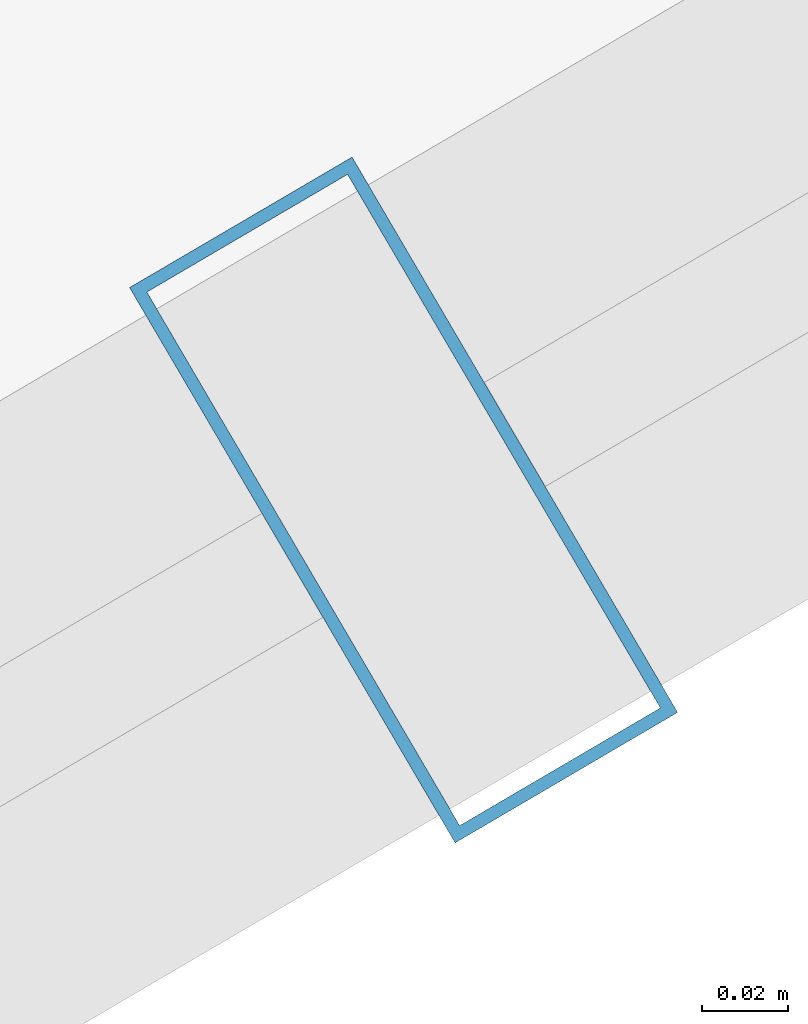
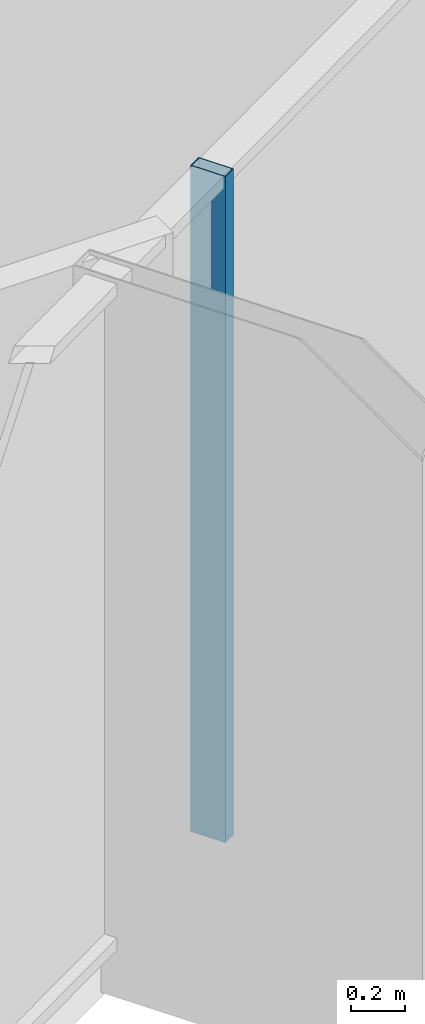
# One storey, part 9 of 31: 1 member, 1 element without a shape of its own.
"""IFC4 building model written with IfcOpenShell, lengths in metres."""

from ifc_helpers import new_model, si_unit, direction, frame, origin, origin_2d, place, context, subcontext, project, spatial, hollow_rectangle, extrude, source, transform, mapped, material, layer, layer_set, material_profile, profile_set, type_object, element, aggregate, save


model = new_model("IFC4")

# Units and contexts
model_context = context("Model", 3, precision=1e-05, world=origin(), true_north=direction((0.0, 1.0)))
body_context = subcontext(model_context, "Body", "Model", "MODEL_VIEW")
ifc_project = project(units=[si_unit("LENGTHUNIT", "METRE"), si_unit("AREAUNIT", "SQUARE_METRE"), si_unit("VOLUMEUNIT", "CUBIC_METRE"), si_unit("PLANEANGLEUNIT", "RADIAN"), si_unit("MASSUNIT", "GRAM", prefix="KILO")], contexts=[model_context])

# Site, building, storey
site_placement = place(None, origin())
site = spatial("IfcSite", under=ifc_project, at=site_placement, CompositionType="ELEMENT")
building_placement = place(site_placement, origin())
building = spatial("IfcBuilding", under=site, at=building_placement, Name="Veraguas Prism Commons", CompositionType="ELEMENT")
storey_placement = place(building_placement, frame((0.0, 0.0, 204.85009765625)))
storey = spatial("IfcBuildingStorey", under=building, at=storey_placement, Name="L58", CompositionType="ELEMENT", Elevation=204.85009765625)

# Curtain wall, member
ifc_material = material(Name="Anodised aluminium EN AW-6063 T6", Category="aluminium")
ifc_layer = layer(ifc_material, 0.14990234375, Name="Unitised Flush Curtain Wall Zone 3", Category="aluminium")
ifc_layer_set = layer_set([ifc_layer], Name="Anodised aluminium EN AW-6063 T6")
curtain_wall_type = type_object("IfcCurtainWallType", Name="Unitised Flush Curtain Wall Zone 3", PredefinedType="NOTDEFINED", material=ifc_layer_set)
curtain_wall_placement = place(storey_placement, origin())
curtain_wall = element("IfcCurtainWall", 1, at=curtain_wall_placement, inside=storey, type_object=curtain_wall_type, Name="Tower Facade Curtain Wall L58-F5", PredefinedType="NOTDEFINED")
ifc_material_profile = material_profile(ifc_material, hollow_rectangle(XDim=0.06005859375, YDim=0.14990234375, WallThickness=0.0029296875, at=origin_2d()), Name="AL60X150X3")
ifc_profile_set = profile_set([ifc_material_profile], Name="Anodised aluminium EN AW-6063 T6")
member_type = type_object("IfcMemberType", Name="Curtain Wall Mullion Upper AL 60x150x3", PredefinedType="MULLION", material=ifc_profile_set)
shared_shape = source(origin(), body_context, "Body", "SweptSolid", [
    extrude(hollow_rectangle(XDim=0.06005859375, YDim=0.14990234375, WallThickness=0.0029296875, at=origin_2d()), origin(), (0.0, 0.0, 1.0), 3.014892578125),
])
member_placement = place(storey_placement, frame((36.38623046875, 10.732177734375, 0.0), z_axis=(0.0, 0.0, 1.0), x_axis=(0.86268584238, 0.505740187604, 0.0)))
member = element("IfcMember", 2, at=member_placement, type_object=member_type, Name="CW-Z3 Mullion 4", PredefinedType="MULLION", context=body_context, shape_type="MappedRepresentation", body=[
    mapped(shared_shape, transform((0.0, 0.0, 0.0), scale=1.0)),
])
aggregate(curtain_wall, [member])

save(model, "model.ifc")
